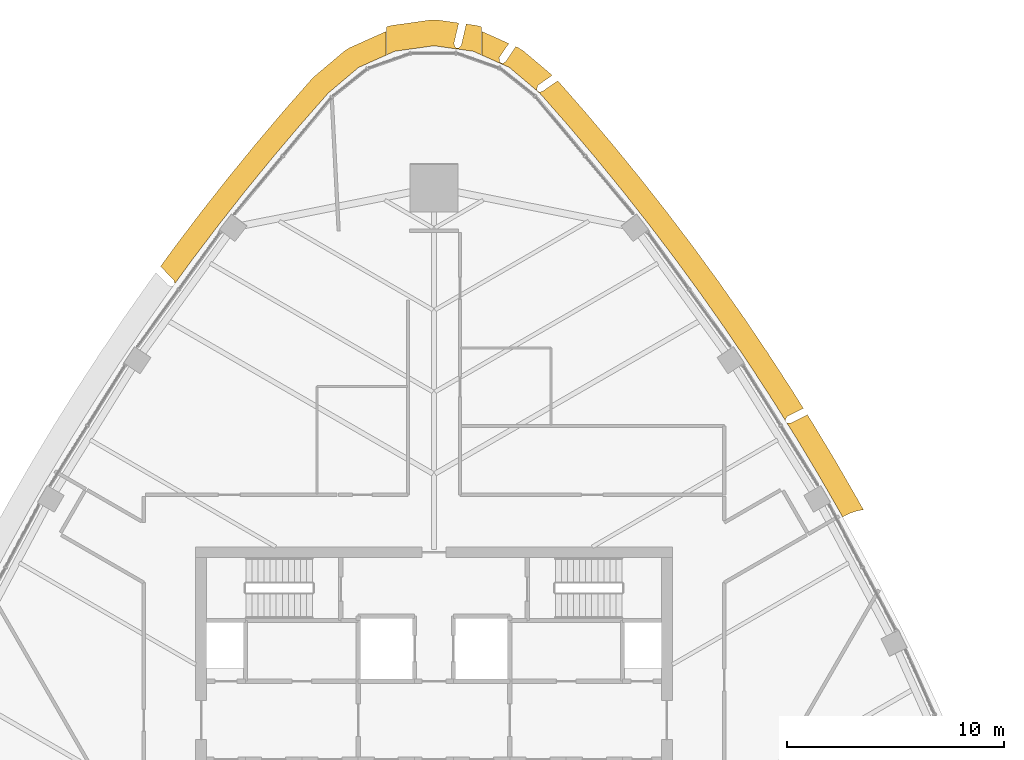
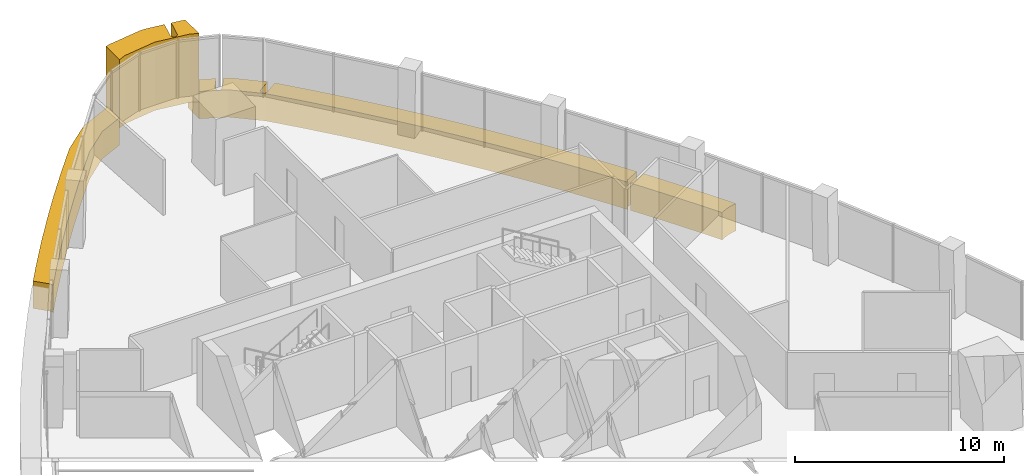
# One storey, part 14 of 15: 4 coverings.
"""IFC4 building model written with IfcOpenShell, lengths in metres."""

from ifc_helpers import new_model, si_unit, direction, frame, origin, place, context, subcontext, project, spatial, polyline, outline, extrude, material, layer, layer_set, type_object, element, save


model = new_model("IFC4")

# Units and contexts
model_context = context("Model", 3, precision=1e-05, world=origin(), true_north=direction((0.0, 1.0)))
body_context = subcontext(model_context, "Body", "Model", "MODEL_VIEW")
ifc_project = project(units=[si_unit("LENGTHUNIT", "METRE"), si_unit("AREAUNIT", "SQUARE_METRE"), si_unit("VOLUMEUNIT", "CUBIC_METRE"), si_unit("PLANEANGLEUNIT", "RADIAN"), si_unit("MASSUNIT", "GRAM", prefix="KILO")], contexts=[model_context])

# Site, building, storey
site_placement = place(None, origin())
site = spatial("IfcSite", under=ifc_project, at=site_placement, CompositionType="ELEMENT")
building_placement = place(site_placement, origin())
building = spatial("IfcBuilding", under=site, at=building_placement, Name="Sierra Prisma Convention Tower", CompositionType="ELEMENT")
storey_placement = place(building_placement, frame((0.0, 0.0, 267.0)))
storey = spatial("IfcBuildingStorey", under=building, at=storey_placement, Name="L60", CompositionType="ELEMENT", Elevation=267.0)

# Coverings
ifc_material_1 = material(Name="Aluminium composite bronze anodised", Category="aluminium")
ifc_layer_1 = layer(ifc_material_1, 1.199951171875)
ifc_layer_set_1 = layer_set([ifc_layer_1], Name="Bronze corner pier")
covering_type_1 = type_object("IfcCoveringType", Name="Bronze corner pier", PredefinedType="CLADDING", material=ifc_layer_set_1)
covering_1_placement = place(storey_placement, frame((0.0, 0.0, -0.60009765625)))
element("IfcCovering", 1, at=covering_1_placement, inside=storey, type_object=covering_type_1, Name="Corner pier N L60.1", PredefinedType="CLADDING", context=body_context, shape_type="SweptSolid", body=[
    extrude(outline(polyline([(0.922119140625, 31.231689453125), (0.921142578125, 31.226806640625), (0.9208984375, 31.2216796875), (0.9208984375, 31.216796875), (0.921630859375, 31.2119140625), (0.922607421875, 31.206787109375), (0.92431640625, 31.2021484375), (0.979736328125, 31.06201171875), (0.981689453125, 31.0576171875), (0.984130859375, 31.0537109375), (0.987060546875, 31.0498046875), (0.989990234375, 31.046142578125), (0.99365234375, 31.042724609375), (0.997314453125, 31.039794921875), (1.001220703125, 31.037109375), (1.005615234375, 31.034912109375), (1.010009765625, 31.033203125), (1.0146484375, 31.031982421875), (1.019287109375, 31.031005859375), (1.118408203125, 31.01708984375), (1.123291015625, 31.0166015625), (1.1279296875, 31.0166015625), (1.1328125, 31.01708984375), (1.1376953125, 31.01806640625), (1.142333984375, 31.01953125), (1.146728515625, 31.021240234375), (1.15087890625, 31.023681640625), (1.155029296875, 31.0263671875), (1.15869140625, 31.029296875), (1.162353515625, 31.03271484375), (1.251220703125, 31.13037109375), (1.254638671875, 31.134521484375), (1.25732421875, 31.138671875), (1.259765625, 31.143310546875), (1.26171875, 31.14794921875), (1.26318359375, 31.15283203125), (1.48876953125, 32.127197265625), (1.97900390625, 32.05810546875), (2.199951171875, 31.994384765625), (2.199951171875, 30.69580078125), (1.811279296875, 30.86962890625), (0.0, 31.12548828125), (-1.811279296875, 30.86962890625), (-2.199951171875, 30.69580078125), (-2.199951171875, 31.994384765625), (-1.97900390625, 32.05810546875), (-0.167724609375, 32.313720703125), (0.167724609375, 32.313720703125), (1.140869140625, 32.17626953125), (0.922119140625, 31.231689453125)])), origin(), (0.0, 0.0, 1.0), 4.0),
])
ifc_material_2 = material(Name="Aluminium composite bronze anodised", Category="aluminium")
ifc_layer_2 = layer(ifc_material_2, 1.0)
ifc_layer_set_2 = layer_set([ifc_layer_2], Name="Bronze spandrel band")
covering_type_2 = type_object("IfcCoveringType", Name="Bronze spandrel band", PredefinedType="CLADDING", material=ifc_layer_set_2)
covering_2_placement = place(storey_placement, frame((0.0, 0.0, -1.60009765625)))
element("IfcCovering", 2, at=covering_2_placement, inside=storey, type_object=covering_type_2, Name="Spandrel band L60.4", PredefinedType="CLADDING", context=body_context, shape_type="SweptSolid", body=[
    extrude(outline(polyline([(-8.22900390625, 26.587158203125), (-6.948974609375, 28.099365234375), (-6.937255859375, 28.11279296875), (-5.630126953125, 29.60205078125), (-5.523681640625, 29.706298828125), (-4.126220703125, 30.88671875), (-3.889404296875, 31.035400390625), (-2.2197265625, 31.782470703125), (-2.2099609375, 31.785400390625), (-2.2099609375, 30.69140625), (-3.48095703125, 30.12255859375), (-4.878662109375, 28.9423828125), (-6.185791015625, 27.453369140625), (-7.4658203125, 25.94091796875), (-8.71875, 24.406005859375), (-9.94384765625, 22.84912109375), (-11.14111328125, 21.270263671875), (-11.9658203125, 20.141357421875), (-11.964111328125, 20.1455078125), (-11.962890625, 20.150390625), (-11.9619140625, 20.155517578125), (-11.961669921875, 20.16064453125), (-11.9619140625, 20.166015625), (-11.962646484375, 20.1708984375), (-11.9638671875, 20.176025390625), (-12.000244140625, 20.29296875), (-12.001708984375, 20.29736328125), (-12.003662109375, 20.301513671875), (-12.006103515625, 20.3056640625), (-12.0087890625, 20.309326171875), (-12.011962890625, 20.31298828125), (-12.617919921875, 20.943603515625), (-11.948486328125, 21.860107421875), (-11.93798828125, 21.87451171875), (-10.74072265625, 23.453125), (-10.729736328125, 23.46728515625), (-9.504638671875, 25.0244140625), (-9.493408203125, 25.038330078125), (-8.240478515625, 26.5732421875), (-8.22900390625, 26.587158203125)])), origin(), (0.0, 0.0, 1.0), 1.60009765625),
])
covering_3_placement = place(storey_placement, frame((0.0, 0.0, -1.60009765625)))
element("IfcCovering", 3, at=covering_3_placement, inside=storey, type_object=covering_type_2, Name="Spandrel band L60.5", PredefinedType="CLADDING", context=body_context, shape_type="SweptSolid", body=[
    extrude(outline(polyline([(3.019775390625, 30.59130859375), (3.017333984375, 30.58740234375), (3.015380859375, 30.5830078125), (3.013671875, 30.57861328125), (3.012451171875, 30.57421875), (3.01171875, 30.569580078125), (3.01123046875, 30.565185546875), (3.01123046875, 30.560302734375), (3.02001953125, 30.401123046875), (3.0205078125, 30.396240234375), (3.021484375, 30.391357421875), (3.023193359375, 30.38671875), (3.025146484375, 30.382080078125), (3.027587890625, 30.377685546875), (3.0302734375, 30.37353515625), (3.033447265625, 30.369873046875), (3.037109375, 30.366455078125), (3.041015625, 30.36328125), (3.045166015625, 30.360595703125), (3.049560546875, 30.3583984375), (3.140869140625, 30.3173828125), (3.145751953125, 30.315673828125), (3.150634765625, 30.314208984375), (3.15576171875, 30.3134765625), (3.160888671875, 30.31298828125), (3.166015625, 30.3134765625), (3.171142578125, 30.314208984375), (3.17626953125, 30.3154296875), (3.18115234375, 30.317138671875), (3.185791015625, 30.319580078125), (3.29248046875, 30.37939453125), (3.296630859375, 30.3818359375), (3.30029296875, 30.384521484375), (3.3037109375, 30.3876953125), (3.306884765625, 30.39111328125), (3.3095703125, 30.39501953125), (3.77734375, 31.08544921875), (3.889404296875, 31.035400390625), (4.126220703125, 30.88671875), (5.458984375, 29.76123046875), (4.808837890625, 29.30908203125), (4.8046875, 29.30615234375), (4.80126953125, 29.302734375), (4.798095703125, 29.298828125), (4.795166015625, 29.294921875), (4.79248046875, 29.29052734375), (4.79052734375, 29.285888671875), (4.7890625, 29.28125), (4.744873046875, 29.119140625), (4.743896484375, 29.114501953125), (4.7431640625, 29.10986328125), (4.7431640625, 29.105224609375), (4.743408203125, 29.100341796875), (4.744140625, 29.095703125), (4.745361328125, 29.09130859375), (4.746826171875, 29.086669921875), (4.748779296875, 29.08251953125), (4.75146484375, 29.078369140625), (4.754150390625, 29.07470703125), (4.75732421875, 29.071044921875), (4.7607421875, 29.06787109375), (4.837158203125, 29.00341796875), (4.841064453125, 29.000244140625), (4.84521484375, 28.997802734375), (4.849853515625, 28.99560546875), (4.8544921875, 28.993896484375), (4.859130859375, 28.99267578125), (4.864013671875, 28.99169921875), (4.869140625, 28.991455078125), (4.8740234375, 28.99169921875), (4.87890625, 28.992431640625), (4.989501953125, 29.013671875), (4.99462890625, 29.014892578125), (4.99951171875, 29.016845703125), (5.004150390625, 29.01904296875), (5.008544921875, 29.021728515625), (5.7109375, 29.510009765625), (6.937255859375, 28.11279296875), (6.948974609375, 28.099365234375), (8.22900390625, 26.587158203125), (8.240478515625, 26.5732421875), (9.493408203125, 25.038330078125), (9.504638671875, 25.0244140625), (10.729736328125, 23.46728515625), (10.74072265625, 23.453125), (11.93798828125, 21.87451171875), (11.948486328125, 21.860107421875), (13.117431640625, 20.26025390625), (13.127685546875, 20.24560546875), (14.267822265625, 18.625), (14.27783203125, 18.6103515625), (15.388671875, 16.9697265625), (15.398681640625, 16.954833984375), (16.47998046875, 15.29443359375), (16.489501953125, 15.279296875), (17.04296875, 14.3955078125), (16.310791015625, 14.02197265625), (16.306640625, 14.019287109375), (16.302490234375, 14.016357421875), (16.298583984375, 14.01318359375), (16.29541015625, 14.009521484375), (16.292236328125, 14.00537109375), (16.28955078125, 14.0009765625), (16.21826171875, 13.868408203125), (16.21630859375, 13.864013671875), (16.214599609375, 13.859619140625), (16.21337890625, 13.85498046875), (16.212646484375, 13.85009765625), (16.21240234375, 13.845458984375), (16.21240234375, 13.8408203125), (16.212890625, 13.836669921875), (15.64208984375, 14.748779296875), (14.560791015625, 16.408935546875), (13.449951171875, 18.0498046875), (12.309814453125, 19.67041015625), (11.14111328125, 21.270263671875), (9.94384765625, 22.84912109375), (8.71875, 24.406005859375), (7.4658203125, 25.94091796875), (6.185791015625, 27.453369140625), (4.878662109375, 28.9423828125), (3.48095703125, 30.12255859375), (2.2099609375, 30.69140625), (2.2099609375, 31.785400390625), (2.2197265625, 31.782470703125), (3.452880859375, 31.230712890625), (3.019775390625, 30.59130859375)])), origin(), (0.0, 0.0, 1.0), 1.60009765625),
])
covering_4_placement = place(storey_placement, frame((0.0, 0.0, -1.60009765625)))
element("IfcCovering", 4, at=covering_4_placement, inside=storey, type_object=covering_type_2, Name="Spandrel band L60.6", PredefinedType="CLADDING", context=body_context, shape_type="SweptSolid", body=[
    extrude(outline(polyline([(18.705322265625, 9.655517578125), (17.714599609375, 11.371337890625), (16.693359375, 13.0693359375), (16.28662109375, 13.718994140625), (16.290283203125, 13.716796875), (16.29443359375, 13.714599609375), (16.299072265625, 13.712646484375), (16.3037109375, 13.711181640625), (16.30859375, 13.71044921875), (16.313232421875, 13.7099609375), (16.4453125, 13.70458984375), (16.450439453125, 13.704833984375), (16.45556640625, 13.705322265625), (16.460693359375, 13.70654296875), (16.46533203125, 13.7080078125), (16.47021484375, 13.710205078125), (17.229248046875, 14.097900390625), (17.541015625, 13.60009765625), (17.55029296875, 13.584716796875), (18.571533203125, 11.886962890625), (18.58056640625, 11.871337890625), (19.5712890625, 10.155517578125), (19.580078125, 10.139892578125), (19.81884765625, 9.708984375), (19.65869140625, 9.685302734375), (19.41845703125, 9.625732421875), (19.185302734375, 9.542724609375), (18.961181640625, 9.437255859375), (18.85693359375, 9.381591796875), (18.705322265625, 9.655517578125)])), origin(), (0.0, 0.0, 1.0), 1.60009765625),
])

save(model, "model.ifc")
